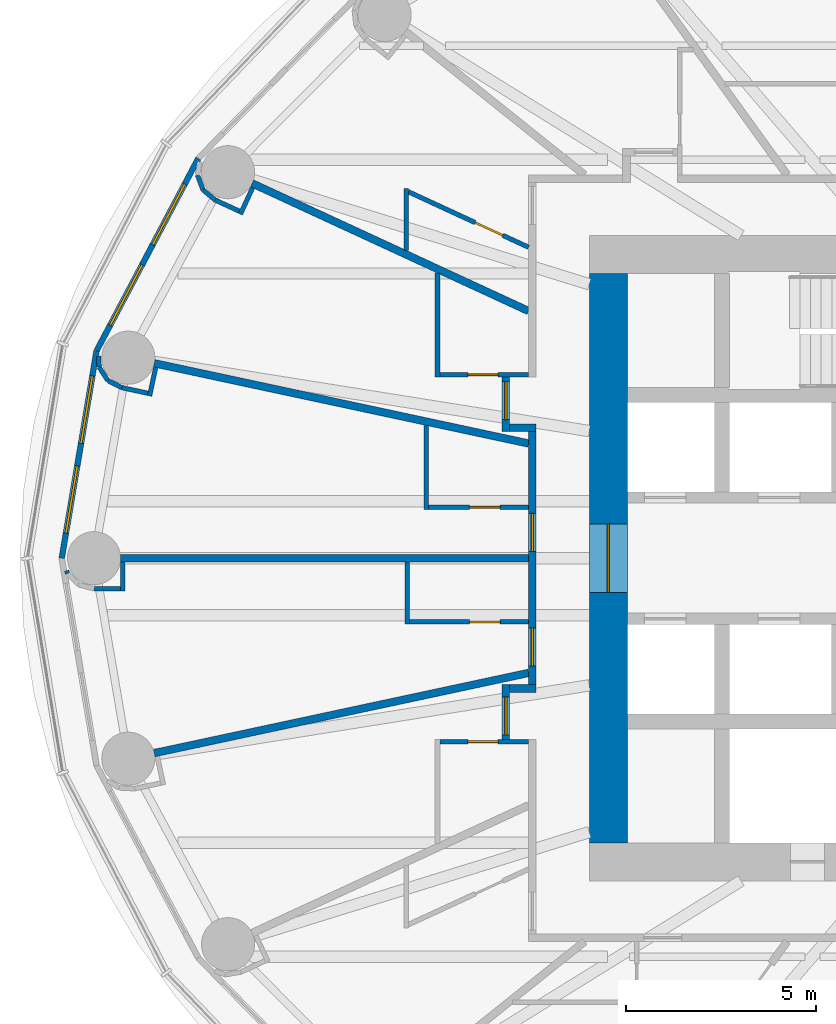
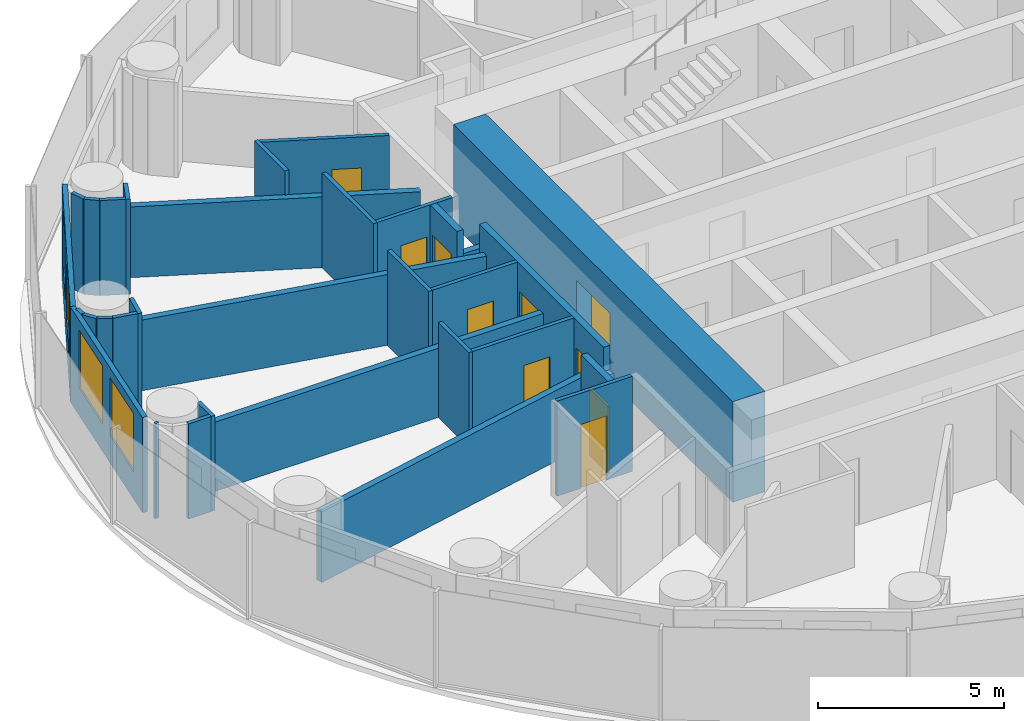
# One storey, part 8 of 16: 33 walls, 10 doors, 4 windows, 14 openings.
"""IFC4 building model written with IfcOpenShell, lengths in metres."""

from ifc_helpers import new_model, si_unit, direction, frame, frame_2d, origin, place, context, subcontext, project, spatial, rectangle, extrude, material, layer, layer_set, type_object, element, fill, save


model = new_model("IFC4")

# Units and contexts
model_context = context("Model", 3, precision=1e-05, world=origin(), true_north=direction((0.0, 1.0)))
body_context = subcontext(model_context, "Body", "Model", "MODEL_VIEW")
ifc_project = project(units=[si_unit("LENGTHUNIT", "METRE"), si_unit("AREAUNIT", "SQUARE_METRE"), si_unit("VOLUMEUNIT", "CUBIC_METRE"), si_unit("PLANEANGLEUNIT", "RADIAN"), si_unit("MASSUNIT", "GRAM", prefix="KILO")], contexts=[model_context])

# Site, building, storey
site_placement = place(None, origin())
site = spatial("IfcSite", under=ifc_project, at=site_placement, CompositionType="ELEMENT")
building_placement = place(site_placement, origin())
building = spatial("IfcBuilding", under=site, at=building_placement, Name="Hankou Lantern Tower", CompositionType="ELEMENT")
storey_placement = place(building_placement, frame((0.0, 0.0, 70.5)))
storey = spatial("IfcBuildingStorey", under=building, at=storey_placement, Name="L17", CompositionType="ELEMENT", Elevation=70.5)

# Wall, opening, door
ifc_material_1 = material(Name="Concrete C60", Category="concrete")
ifc_layer_1 = layer(ifc_material_1, 1.0)
ifc_layer_set_1 = layer_set([ifc_layer_1], Name="Concrete C60")
wall_type_1 = type_object("IfcWallType", Name="CW1 CORE WALL 1000", PredefinedType="SHEAR", material=ifc_layer_set_1)
wall_1_placement = place(storey_placement, frame((-12.0, 7.5, 0.0), z_axis=(0.0, 0.0, 1.0), x_axis=(0.0, -1.0, 0.0)))
wall_1 = element("IfcWall", 1, at=wall_1_placement, inside=storey, type_object=wall_type_1, Name="Core wall west L17", PredefinedType="SHEAR", context=body_context, shape_type="SweptSolid", body=[
    extrude(rectangle(XDim=15.0, YDim=1.0, at=frame_2d((7.5, 0.0))), origin(), (0.0, 0.0, 1.0), 3.300048828125),
])
opening_1_placement = place(wall_1_placement, frame((6.60009765625, 0.0, 0.0)))
opening_1 = element("IfcOpeningElement", 2, at=opening_1_placement, cuts=wall_1, Name="Opening D6", PredefinedType="OPENING", context=body_context, shape_type="SweptSolid", body=[
    extrude(rectangle(XDim=1.800048828125, YDim=2.199951171875, at=frame_2d((0.89990234375, 1.10009765625))), frame((0.0, 0.510009765625, 0.0), z_axis=(0.0, -1.0, 0.0), x_axis=(1.0, 0.0, 0.0)), (0.0, 0.0, 1.0), 1.02001953125),
])
ifc_material_2 = material(Name="Steel door leaf", Category="steel")
door_type_1 = type_object("IfcDoorType", Name="D6 LIFT LOBBY DOOR 1800X2200", OperationType="DOUBLE_DOOR_DOUBLE_SWING", PredefinedType="DOOR", material=ifc_material_2)
door_1_placement = place(opening_1_placement, origin())
door_1 = element("IfcDoor", 3, at=door_1_placement, inside=storey, type_object=door_type_1, Name="Lift lobby west door", OperationType="DOUBLE_DOOR_DOUBLE_SWING", OverallHeight=2.199951171875, OverallWidth=1.800048828125, PredefinedType="DOOR", context=body_context, shape_type="SweptSolid", body=[
    extrude(rectangle(XDim=1.800048828125, YDim=2.199951171875, at=frame_2d((0.89990234375, 1.10009765625))), frame((0.0, 0.02490234375, 0.0), z_axis=(0.0, -1.0, 0.0), x_axis=(1.0, 0.0, 0.0)), (0.0, 0.0, 1.0), 0.050048828125),
])
fill(opening_1, door_1)

# Wall, openings, windows
ifc_material_3 = material(Name="Aluminium spandrel panel on steel studs", Category="steel")
ifc_layer_2 = layer(ifc_material_3, 0.14990234375)
ifc_layer_set_2 = layer_set([ifc_layer_2], Name="Aluminium spandrel panel on steel studs")
wall_type_2 = type_object("IfcWallType", Name="EW1 INNER SKIN WALL 150", PredefinedType="ELEMENTEDWALL", material=ifc_layer_set_2)
wall_2_placement = place(storey_placement, frame((-22.802734375, 10.5322265625, 0.0), z_axis=(0.0, 0.0, 1.0), x_axis=(-0.467296867008, -0.884100468321, 0.0)))
wall_2 = element("IfcWall", 4, at=wall_2_placement, inside=storey, type_object=wall_type_2, Name="Inner skin R11-R12 L17", PredefinedType="ELEMENTEDWALL", context=body_context, shape_type="SweptSolid", body=[
    extrude(rectangle(XDim=5.734375, YDim=0.14990234375, at=frame_2d((2.8671875, 0.0))), origin(), (0.0, 0.0, 1.0), 3.1201171875),
])
opening_2_placement = place(wall_2_placement, frame((0.76708984375, 0.0, 0.89990234375)))
opening_2 = element("IfcOpeningElement", 5, at=opening_2_placement, cuts=wall_2, Name="Opening W1", PredefinedType="OPENING", context=body_context, shape_type="SweptSolid", body=[
    extrude(rectangle(XDim=1.800048828125, YDim=1.89990234375, at=frame_2d((0.89990234375, 0.949951171875))), frame((0.0, 0.0849609375, 0.0), z_axis=(0.0, -1.0, 0.0), x_axis=(1.0, 0.0, 0.0)), (0.0, 0.0, 1.0), 0.169921875),
])
opening_3_placement = place(wall_2_placement, frame((3.167236328125, 0.0, 0.89990234375)))
opening_3 = element("IfcOpeningElement", 6, at=opening_3_placement, cuts=wall_2, Name="Opening W1", PredefinedType="OPENING", context=body_context, shape_type="SweptSolid", body=[
    extrude(rectangle(XDim=1.800048828125, YDim=1.89990234375, at=frame_2d((0.89990234375, 0.949951171875))), frame((0.0, 0.0849609375, 0.0), z_axis=(0.0, -1.0, 0.0), x_axis=(1.0, 0.0, 0.0)), (0.0, 0.0, 1.0), 0.169921875),
])
ifc_material_4 = material(Name="Aluminium framed double glazed window", Category="aluminium")
window_type = type_object("IfcWindowType", Name="W1 GUEST ROOM WINDOW 1800X1900", PartitioningType="DOUBLE_PANEL_VERTICAL", PredefinedType="WINDOW", material=ifc_material_4)
window_1_placement = place(opening_2_placement, origin())
window_1 = element("IfcWindow", 7, at=window_1_placement, inside=storey, type_object=window_type, Name="Window R11.1 L17", OverallHeight=1.89990234375, OverallWidth=1.800048828125, PartitioningType="SINGLE_PANEL", PredefinedType="WINDOW", context=body_context, shape_type="SweptSolid", body=[
    extrude(rectangle(XDim=1.800048828125, YDim=1.89990234375, at=frame_2d((0.89990234375, 0.949951171875))), frame((0.0, 0.030029296875, 0.0), z_axis=(0.0, -1.0, 0.0), x_axis=(1.0, 0.0, 0.0)), (0.0, 0.0, 1.0), 0.06005859375),
])
fill(opening_2, window_1)
window_2_placement = place(opening_3_placement, origin())
window_2 = element("IfcWindow", 8, at=window_2_placement, inside=storey, type_object=window_type, Name="Window R11.2 L17", OverallHeight=1.89990234375, OverallWidth=1.800048828125, PartitioningType="SINGLE_PANEL", PredefinedType="WINDOW", context=body_context, shape_type="SweptSolid", body=[
    extrude(rectangle(XDim=1.800048828125, YDim=1.89990234375, at=frame_2d((0.89990234375, 0.949951171875))), frame((0.0, 0.030029296875, 0.0), z_axis=(0.0, -1.0, 0.0), x_axis=(1.0, 0.0, 0.0)), (0.0, 0.0, 1.0), 0.06005859375),
])
fill(opening_3, window_2)

wall_3_placement = place(storey_placement, frame((-25.482421875, 5.46240234375, 0.0), z_axis=(0.0, 0.0, 1.0), x_axis=(-0.165642551694, -0.986185857264, 0.0)))
wall_3 = element("IfcWall", 9, at=wall_3_placement, inside=storey, type_object=wall_type_2, Name="Inner skin R12-R13 L17", PredefinedType="ELEMENTEDWALL", context=body_context, shape_type="SweptSolid", body=[
    extrude(rectangle(XDim=5.538818359375, YDim=0.14990234375, at=frame_2d((2.76953125, 0.0))), origin(), (0.0, 0.0, 1.0), 3.1201171875),
])
opening_4_placement = place(wall_3_placement, frame((0.66943359375, 0.0, 0.89990234375)))
opening_4 = element("IfcOpeningElement", 10, at=opening_4_placement, cuts=wall_3, Name="Opening W1", PredefinedType="OPENING", context=body_context, shape_type="SweptSolid", body=[
    extrude(rectangle(XDim=1.800048828125, YDim=1.89990234375, at=frame_2d((0.89990234375, 0.949951171875))), frame((0.0, 0.0849609375, 0.0), z_axis=(0.0, -1.0, 0.0), x_axis=(1.0, 0.0, 0.0)), (0.0, 0.0, 1.0), 0.169921875),
])
opening_5_placement = place(wall_3_placement, frame((3.069580078125, 0.0, 0.89990234375)))
opening_5 = element("IfcOpeningElement", 11, at=opening_5_placement, cuts=wall_3, Name="Opening W1", PredefinedType="OPENING", context=body_context, shape_type="SweptSolid", body=[
    extrude(rectangle(XDim=1.800048828125, YDim=1.89990234375, at=frame_2d((0.89990234375, 0.949951171875))), frame((0.0, 0.0849609375, 0.0), z_axis=(0.0, -1.0, 0.0), x_axis=(1.0, 0.0, 0.0)), (0.0, 0.0, 1.0), 0.169921875),
])
window_3_placement = place(opening_4_placement, origin())
window_3 = element("IfcWindow", 12, at=window_3_placement, inside=storey, type_object=window_type, Name="Window R12.1 L17", OverallHeight=1.89990234375, OverallWidth=1.800048828125, PartitioningType="SINGLE_PANEL", PredefinedType="WINDOW", context=body_context, shape_type="SweptSolid", body=[
    extrude(rectangle(XDim=1.800048828125, YDim=1.89990234375, at=frame_2d((0.89990234375, 0.949951171875))), frame((0.0, 0.030029296875, 0.0), z_axis=(0.0, -1.0, 0.0), x_axis=(1.0, 0.0, 0.0)), (0.0, 0.0, 1.0), 0.06005859375),
])
fill(opening_4, window_3)
window_4_placement = place(opening_5_placement, origin())
window_4 = element("IfcWindow", 13, at=window_4_placement, inside=storey, type_object=window_type, Name="Window R12.2 L17", OverallHeight=1.89990234375, OverallWidth=1.800048828125, PartitioningType="SINGLE_PANEL", PredefinedType="WINDOW", context=body_context, shape_type="SweptSolid", body=[
    extrude(rectangle(XDim=1.800048828125, YDim=1.89990234375, at=frame_2d((0.89990234375, 0.949951171875))), frame((0.0, 0.030029296875, 0.0), z_axis=(0.0, -1.0, 0.0), x_axis=(1.0, 0.0, 0.0)), (0.0, 0.0, 1.0), 0.06005859375),
])
fill(opening_5, window_4)

# Walls
ifc_material_5 = material(Name="Masonry lightweight concrete block", Category="masonry")
ifc_layer_3 = layer(ifc_material_5, 0.199951171875)
ifc_layer_set_3 = layer_set([ifc_layer_3], Name="Masonry lightweight concrete block")
wall_type_3 = type_object("IfcWallType", Name="IW1 GUEST ROOM PARTY WALL 200", PredefinedType="PARTITIONING", material=ifc_layer_set_3)
wall_4_placement = place(storey_placement, frame((-14.10009765625, 6.512451171875, 0.0), z_axis=(0.0, 0.0, 1.0), x_axis=(-0.907832871056, 0.419332181247, 0.0)))
element("IfcWall", 14, at=wall_4_placement, inside=storey, type_object=wall_type_3, Name="Party wall R11", PredefinedType="PARTITIONING", context=body_context, shape_type="SweptSolid", body=[
    extrude(rectangle(XDim=8.02294921875, YDim=0.199951171875, at=frame_2d((4.011474609375, 0.0))), origin(), (0.0, 0.0, 1.0), 2.320068359375),
])
wall_5_placement = place(storey_placement, frame((-14.10009765625, 3.0224609375, 0.0), z_axis=(0.0, 0.0, 1.0), x_axis=(-0.977790014929, 0.209586943072, 0.0)))
element("IfcWall", 15, at=wall_5_placement, inside=storey, type_object=wall_type_3, Name="Party wall R12", PredefinedType="PARTITIONING", context=body_context, shape_type="SweptSolid", body=[
    extrude(rectangle(XDim=10.086669921875, YDim=0.199951171875, at=frame_2d((5.04345703125, 0.0))), origin(), (0.0, 0.0, 1.0), 2.320068359375),
])
wall_6_placement = place(storey_placement, frame((-14.10009765625, 0.0, 0.0), z_axis=(0.0, 0.0, 1.0), x_axis=(-1.0, 0.0, 0.0)))
element("IfcWall", 16, at=wall_6_placement, inside=storey, type_object=wall_type_3, Name="Party wall R13", PredefinedType="PARTITIONING", context=body_context, shape_type="SweptSolid", body=[
    extrude(rectangle(XDim=10.75, YDim=0.199951171875, at=frame_2d((5.375, 0.0))), origin(), (0.0, 0.0, 1.0), 2.27001953125),
])
wall_7_placement = place(storey_placement, frame((-14.10009765625, -3.0224609375, 0.0), z_axis=(0.0, 0.0, 1.0), x_axis=(-0.977790014929, -0.209586943072, 0.0)))
element("IfcWall", 17, at=wall_7_placement, inside=storey, type_object=wall_type_3, Name="Party wall R14", PredefinedType="PARTITIONING", context=body_context, shape_type="SweptSolid", body=[
    extrude(rectangle(XDim=10.086669921875, YDim=0.199951171875, at=frame_2d((5.04345703125, 0.0))), origin(), (0.0, 0.0, 1.0), 2.320068359375),
])

# Wall, opening, door
ifc_material_6 = material(Name="Masonry lightweight concrete block", Category="masonry")
ifc_layer_4 = layer(ifc_material_6, 0.199951171875)
ifc_layer_set_4 = layer_set([ifc_layer_4], Name="Masonry lightweight concrete block")
wall_type_4 = type_object("IfcWallType", Name="IW2 CORRIDOR WALL 200", PredefinedType="PARTITIONING", material=ifc_layer_set_4)
wall_8_placement = place(storey_placement, frame((-14.699951171875, 4.7724609375, 0.0), z_axis=(0.0, 0.0, 1.0), x_axis=(0.0, -1.0, 0.0)))
wall_8 = element("IfcWall", 18, at=wall_8_placement, inside=storey, type_object=wall_type_4, Name="Corridor recess wall 1716 back", PredefinedType="PARTITIONING", context=body_context, shape_type="SweptSolid", body=[
    extrude(rectangle(XDim=1.43994140625, YDim=0.199951171875, at=frame_2d((0.719970703125, 0.0))), origin(), (0.0, 0.0, 1.0), 3.1201171875),
])
opening_6_placement = place(wall_8_placement, frame((0.1201171875, 0.0, 0.0)))
opening_6 = element("IfcOpeningElement", 19, at=opening_6_placement, cuts=wall_8, Name="Opening D1", PredefinedType="OPENING", context=body_context, shape_type="SweptSolid", body=[
    extrude(rectangle(XDim=1.0, YDim=2.199951171875, at=frame_2d((0.5, 1.10009765625))), frame((0.0, 0.10986328125, 0.0), z_axis=(0.0, -1.0, 0.0), x_axis=(1.0, 0.0, 0.0)), (0.0, 0.0, 1.0), 0.219970703125),
])
ifc_material_7 = material(Name="Steel door leaf", Category="steel")
door_type_2 = type_object("IfcDoorType", Name="D1 GUEST ROOM DOOR 1000X2200", OperationType="SINGLE_SWING_LEFT", PredefinedType="DOOR", material=ifc_material_7)
door_2_placement = place(opening_6_placement, origin())
door_2 = element("IfcDoor", 20, at=door_2_placement, inside=storey, type_object=door_type_2, Name="Guest room door 1716", OperationType="SINGLE_SWING_LEFT", OverallHeight=2.199951171875, OverallWidth=1.0, PredefinedType="DOOR", context=body_context, shape_type="SweptSolid", body=[
    extrude(rectangle(XDim=1.0, YDim=2.199951171875, at=frame_2d((0.5, 1.10009765625))), frame((0.0, 0.02490234375, 0.0), z_axis=(0.0, -1.0, 0.0), x_axis=(1.0, 0.0, 0.0)), (0.0, 0.0, 1.0), 0.050048828125),
])
fill(opening_6, door_2)

# Wall
wall_9_placement = place(storey_placement, frame((-13.89990234375, 3.4326171875, 0.0), z_axis=(0.0, 0.0, 1.0), x_axis=(-1.0, 0.0, 0.0)))
element("IfcWall", 21, at=wall_9_placement, inside=storey, type_object=wall_type_4, Name="Corridor recess wall 1716 side", PredefinedType="PARTITIONING", context=body_context, shape_type="SweptSolid", body=[
    extrude(rectangle(XDim=0.7001953125, YDim=0.199951171875, at=frame_2d((0.35009765625, 0.0))), origin(), (0.0, 0.0, 1.0), 2.320068359375),
])

# Wall, opening, door
wall_10_placement = place(storey_placement, frame((-14.699951171875, -3.33251953125, 0.0), z_axis=(0.0, 0.0, 1.0), x_axis=(0.0, -1.0, 0.0)))
wall_10 = element("IfcWall", 22, at=wall_10_placement, inside=storey, type_object=wall_type_4, Name="Corridor recess wall 1719 back", PredefinedType="PARTITIONING", context=body_context, shape_type="SweptSolid", body=[
    extrude(rectangle(XDim=1.43994140625, YDim=0.199951171875, at=frame_2d((0.719970703125, 0.0))), origin(), (0.0, 0.0, 1.0), 3.1201171875),
])
opening_7_placement = place(wall_10_placement, frame((0.320068359375, 0.0, 0.0)))
opening_7 = element("IfcOpeningElement", 23, at=opening_7_placement, cuts=wall_10, Name="Opening D1", PredefinedType="OPENING", context=body_context, shape_type="SweptSolid", body=[
    extrude(rectangle(XDim=1.0, YDim=2.199951171875, at=frame_2d((0.5, 1.10009765625))), frame((0.0, 0.10986328125, 0.0), z_axis=(0.0, -1.0, 0.0), x_axis=(1.0, 0.0, 0.0)), (0.0, 0.0, 1.0), 0.219970703125),
])
door_3_placement = place(opening_7_placement, origin())
door_3 = element("IfcDoor", 24, at=door_3_placement, inside=storey, type_object=door_type_2, Name="Guest room door 1719", OperationType="SINGLE_SWING_RIGHT", OverallHeight=2.199951171875, OverallWidth=1.0, PredefinedType="DOOR", context=body_context, shape_type="SweptSolid", body=[
    extrude(rectangle(XDim=1.0, YDim=2.199951171875, at=frame_2d((0.5, 1.10009765625))), frame((0.0, 0.02490234375, 0.0), z_axis=(0.0, -1.0, 0.0), x_axis=(1.0, 0.0, 0.0)), (0.0, 0.0, 1.0), 0.050048828125),
])
fill(opening_7, door_3)

# Wall
wall_11_placement = place(storey_placement, frame((-13.89990234375, -3.4326171875, 0.0), z_axis=(0.0, 0.0, 1.0), x_axis=(-1.0, 0.0, 0.0)))
element("IfcWall", 25, at=wall_11_placement, inside=storey, type_object=wall_type_4, Name="Corridor recess wall 1719 side", PredefinedType="PARTITIONING", context=body_context, shape_type="SweptSolid", body=[
    extrude(rectangle(XDim=0.7001953125, YDim=0.199951171875, at=frame_2d((0.35009765625, 0.0))), origin(), (0.0, 0.0, 1.0), 2.320068359375),
])

# Wall, openings, doors
wall_12_placement = place(storey_placement, frame((-14.0, 3.33251953125, 0.0), z_axis=(0.0, 0.0, 1.0), x_axis=(0.0, -1.0, 0.0)))
wall_12 = element("IfcWall", 26, at=wall_12_placement, inside=storey, type_object=wall_type_4, Name="Corridor wall west", PredefinedType="PARTITIONING", context=body_context, shape_type="SweptSolid", body=[
    extrude(rectangle(XDim=6.6650390625, YDim=0.199951171875, at=frame_2d((3.33251953125, 0.0))), origin(), (0.0, 0.0, 1.0), 3.1201171875),
])
opening_8_placement = place(wall_12_placement, frame((2.14990234375, 0.0, 0.0)))
opening_8 = element("IfcOpeningElement", 27, at=opening_8_placement, cuts=wall_12, Name="Opening D1", PredefinedType="OPENING", context=body_context, shape_type="SweptSolid", body=[
    extrude(rectangle(XDim=1.0, YDim=2.199951171875, at=frame_2d((0.5, 1.10009765625))), frame((0.0, 0.10986328125, 0.0), z_axis=(0.0, -1.0, 0.0), x_axis=(1.0, 0.0, 0.0)), (0.0, 0.0, 1.0), 0.219970703125),
])
opening_9_placement = place(wall_12_placement, frame((5.172607421875, 0.0, 0.0)))
opening_9 = element("IfcOpeningElement", 28, at=opening_9_placement, cuts=wall_12, Name="Opening D1", PredefinedType="OPENING", context=body_context, shape_type="SweptSolid", body=[
    extrude(rectangle(XDim=1.0, YDim=2.199951171875, at=frame_2d((0.5, 1.10009765625))), frame((0.0, 0.10986328125, 0.0), z_axis=(0.0, -1.0, 0.0), x_axis=(1.0, 0.0, 0.0)), (0.0, 0.0, 1.0), 0.219970703125),
])
door_4_placement = place(opening_8_placement, origin())
door_4 = element("IfcDoor", 29, at=door_4_placement, inside=storey, type_object=door_type_2, Name="Guest room door 1717", OperationType="SINGLE_SWING_LEFT", OverallHeight=2.199951171875, OverallWidth=1.0, PredefinedType="DOOR", context=body_context, shape_type="SweptSolid", body=[
    extrude(rectangle(XDim=1.0, YDim=2.199951171875, at=frame_2d((0.5, 1.10009765625))), frame((0.0, 0.02490234375, 0.0), z_axis=(0.0, -1.0, 0.0), x_axis=(1.0, 0.0, 0.0)), (0.0, 0.0, 1.0), 0.050048828125),
])
fill(opening_8, door_4)
door_5_placement = place(opening_9_placement, origin())
door_5 = element("IfcDoor", 30, at=door_5_placement, inside=storey, type_object=door_type_2, Name="Guest room door 1718", OperationType="SINGLE_SWING_RIGHT", OverallHeight=2.199951171875, OverallWidth=1.0, PredefinedType="DOOR", context=body_context, shape_type="SweptSolid", body=[
    extrude(rectangle(XDim=1.0, YDim=2.199951171875, at=frame_2d((0.5, 1.10009765625))), frame((0.0, 0.02490234375, 0.0), z_axis=(0.0, -1.0, 0.0), x_axis=(1.0, 0.0, 0.0)), (0.0, 0.0, 1.0), 0.050048828125),
])
fill(opening_9, door_5)

# Wall
ifc_material_8 = material(Name="Masonry lightweight concrete block", Category="masonry")
ifc_layer_5 = layer(ifc_material_8, 0.1201171875)
ifc_layer_set_5 = layer_set([ifc_layer_5], Name="Masonry lightweight concrete block")
wall_type_5 = type_object("IfcWallType", Name="IW3 BATHROOM WALL 120", PredefinedType="PARTITIONING", material=ifc_layer_set_5)
wall_13_placement = place(storey_placement, frame((-17.32275390625, 8.10107421875, 0.0), z_axis=(0.0, 0.0, 1.0), x_axis=(0.0, 1.0, 0.0)))
element("IfcWall", 31, at=wall_13_placement, inside=storey, type_object=wall_type_5, Name="Box wall 1715 1", PredefinedType="PARTITIONING", context=body_context, shape_type="SweptSolid", body=[
    extrude(rectangle(XDim=1.639892578125, YDim=0.1201171875, at=frame_2d((0.81982421875, 0.0))), origin(), (0.0, 0.0, 1.0), 3.1201171875),
])

# Wall, opening, door
wall_14_placement = place(storey_placement, frame((-14.10009765625, 8.192626953125, 0.0), z_axis=(0.0, 0.0, 1.0), x_axis=(-0.907836493557, 0.419324338628, 0.0)))
wall_14 = element("IfcWall", 32, at=wall_14_placement, inside=storey, type_object=wall_type_5, Name="Box wall 1715 1", PredefinedType="PARTITIONING", context=body_context, shape_type="SweptSolid", body=[
    extrude(rectangle(XDim=3.48974609375, YDim=0.1201171875, at=frame_2d((1.744873046875, 0.0))), origin(), (0.0, 0.0, 1.0), 3.1201171875),
])
opening_10_placement = place(wall_14_placement, frame((0.75, 0.0, 0.0)))
opening_10 = element("IfcOpeningElement", 33, at=opening_10_placement, cuts=wall_14, Name="Opening D3", PredefinedType="OPENING", context=body_context, shape_type="SweptSolid", body=[
    extrude(rectangle(XDim=0.800048828125, YDim=2.10009765625, at=frame_2d((0.39990234375, 1.050048828125))), frame((0.0, 0.070068359375, 0.0), z_axis=(0.0, -1.0, 0.0), x_axis=(1.0, 0.0, 0.0)), (0.0, 0.0, 1.0), 0.14013671875),
])
ifc_material_9 = material(Name="Timber door leaf", Category="wood")
door_type_3 = type_object("IfcDoorType", Name="D3 BATHROOM DOOR 800X2100", OperationType="SINGLE_SWING_LEFT", PredefinedType="DOOR", material=ifc_material_9)
door_6_placement = place(opening_10_placement, origin())
door_6 = element("IfcDoor", 34, at=door_6_placement, inside=storey, type_object=door_type_3, Name="En-suite bathroom 1715 door", OperationType="SINGLE_SWING_LEFT", OverallHeight=2.10009765625, OverallWidth=0.800048828125, PredefinedType="DOOR", context=body_context, shape_type="SweptSolid", body=[
    extrude(rectangle(XDim=0.800048828125, YDim=2.10009765625, at=frame_2d((0.39990234375, 1.050048828125))), frame((0.0, 0.02490234375, 0.0), z_axis=(0.0, -1.0, 0.0), x_axis=(1.0, 0.0, 0.0)), (0.0, 0.0, 1.0), 0.050048828125),
])
fill(opening_10, door_6)

# Wall
wall_15_placement = place(storey_placement, frame((-16.5, 7.52099609375, 0.0), z_axis=(0.0, 0.0, 1.0), x_axis=(0.0, -1.0, 0.0)))
element("IfcWall", 35, at=wall_15_placement, inside=storey, type_object=wall_type_5, Name="Box wall 1716 1", PredefinedType="PARTITIONING", context=body_context, shape_type="SweptSolid", body=[
    extrude(rectangle(XDim=2.74853515625, YDim=0.1201171875, at=frame_2d((1.374267578125, 0.0))), origin(), (0.0, 0.0, 1.0), 3.1201171875),
])

# Wall, opening, door
wall_16_placement = place(storey_placement, frame((-14.10009765625, 4.83251953125, 0.0), z_axis=(0.0, 0.0, 1.0), x_axis=(-1.0, 0.0, 0.0)))
wall_16 = element("IfcWall", 36, at=wall_16_placement, inside=storey, type_object=wall_type_5, Name="Box wall 1716 1", PredefinedType="PARTITIONING", context=body_context, shape_type="SweptSolid", body=[
    extrude(rectangle(XDim=2.33984375, YDim=0.1201171875, at=frame_2d((1.169921875, 0.0))), origin(), (0.0, 0.0, 1.0), 3.1201171875),
])
opening_11_placement = place(wall_16_placement, frame((0.800048828125, 0.0, 0.0)))
opening_11 = element("IfcOpeningElement", 37, at=opening_11_placement, cuts=wall_16, Name="Opening D3", PredefinedType="OPENING", context=body_context, shape_type="SweptSolid", body=[
    extrude(rectangle(XDim=0.800048828125, YDim=2.10009765625, at=frame_2d((0.39990234375, 1.050048828125))), frame((0.0, 0.070068359375, 0.0), z_axis=(0.0, -1.0, 0.0), x_axis=(1.0, 0.0, 0.0)), (0.0, 0.0, 1.0), 0.14013671875),
])
door_7_placement = place(opening_11_placement, origin())
door_7 = element("IfcDoor", 38, at=door_7_placement, inside=storey, type_object=door_type_3, Name="En-suite bathroom 1716 door", OperationType="SINGLE_SWING_LEFT", OverallHeight=2.10009765625, OverallWidth=0.800048828125, PredefinedType="DOOR", context=body_context, shape_type="SweptSolid", body=[
    extrude(rectangle(XDim=0.800048828125, YDim=2.10009765625, at=frame_2d((0.39990234375, 1.050048828125))), frame((0.0, 0.02490234375, 0.0), z_axis=(0.0, -1.0, 0.0), x_axis=(1.0, 0.0, 0.0)), (0.0, 0.0, 1.0), 0.050048828125),
])
fill(opening_11, door_7)

# Wall
wall_17_placement = place(storey_placement, frame((-16.800048828125, 3.501220703125, 0.0), z_axis=(0.0, 0.0, 1.0), x_axis=(0.0, -1.0, 0.0)))
element("IfcWall", 39, at=wall_17_placement, inside=storey, type_object=wall_type_5, Name="Box wall 1717 1", PredefinedType="PARTITIONING", context=body_context, shape_type="SweptSolid", body=[
    extrude(rectangle(XDim=2.21875, YDim=0.1201171875, at=frame_2d((1.109375, 0.0))), origin(), (0.0, 0.0, 1.0), 3.1201171875),
])

# Wall, opening, door
wall_18_placement = place(storey_placement, frame((-14.10009765625, 1.342529296875, 0.0), z_axis=(0.0, 0.0, 1.0), x_axis=(-1.0, 0.0, 0.0)))
wall_18 = element("IfcWall", 40, at=wall_18_placement, inside=storey, type_object=wall_type_5, Name="Box wall 1717 1", PredefinedType="PARTITIONING", context=body_context, shape_type="SweptSolid", body=[
    extrude(rectangle(XDim=2.639892578125, YDim=0.1201171875, at=frame_2d((1.31982421875, 0.0))), origin(), (0.0, 0.0, 1.0), 3.1201171875),
])
opening_12_placement = place(wall_18_placement, frame((0.75, 0.0, 0.0)))
opening_12 = element("IfcOpeningElement", 41, at=opening_12_placement, cuts=wall_18, Name="Opening D3", PredefinedType="OPENING", context=body_context, shape_type="SweptSolid", body=[
    extrude(rectangle(XDim=0.800048828125, YDim=2.10009765625, at=frame_2d((0.39990234375, 1.050048828125))), frame((0.0, 0.070068359375, 0.0), z_axis=(0.0, -1.0, 0.0), x_axis=(1.0, 0.0, 0.0)), (0.0, 0.0, 1.0), 0.14013671875),
])
door_8_placement = place(opening_12_placement, origin())
door_8 = element("IfcDoor", 42, at=door_8_placement, inside=storey, type_object=door_type_3, Name="En-suite bathroom 1717 door", OperationType="SINGLE_SWING_LEFT", OverallHeight=2.10009765625, OverallWidth=0.800048828125, PredefinedType="DOOR", context=body_context, shape_type="SweptSolid", body=[
    extrude(rectangle(XDim=0.800048828125, YDim=2.10009765625, at=frame_2d((0.39990234375, 1.050048828125))), frame((0.0, 0.02490234375, 0.0), z_axis=(0.0, -1.0, 0.0), x_axis=(1.0, 0.0, 0.0)), (0.0, 0.0, 1.0), 0.050048828125),
])
fill(opening_12, door_8)

# Wall
wall_19_placement = place(storey_placement, frame((-17.300048828125, -0.10009765625, 0.0), z_axis=(0.0, 0.0, 1.0), x_axis=(0.0, -1.0, 0.0)))
element("IfcWall", 43, at=wall_19_placement, inside=storey, type_object=wall_type_5, Name="Box wall 1718 1", PredefinedType="PARTITIONING", context=body_context, shape_type="SweptSolid", body=[
    extrude(rectangle(XDim=1.639892578125, YDim=0.1201171875, at=frame_2d((0.81982421875, 0.0))), origin(), (0.0, 0.0, 1.0), 3.1201171875),
])

# Wall, opening, door
wall_20_placement = place(storey_placement, frame((-14.10009765625, -1.679931640625, 0.0), z_axis=(0.0, 0.0, 1.0), x_axis=(-1.0, 0.0, 0.0)))
wall_20 = element("IfcWall", 44, at=wall_20_placement, inside=storey, type_object=wall_type_5, Name="Box wall 1718 1", PredefinedType="PARTITIONING", context=body_context, shape_type="SweptSolid", body=[
    extrude(rectangle(XDim=3.139892578125, YDim=0.1201171875, at=frame_2d((1.56982421875, 0.0))), origin(), (0.0, 0.0, 1.0), 3.1201171875),
])
opening_13_placement = place(wall_20_placement, frame((0.75, 0.0, 0.0)))
opening_13 = element("IfcOpeningElement", 45, at=opening_13_placement, cuts=wall_20, Name="Opening D3", PredefinedType="OPENING", context=body_context, shape_type="SweptSolid", body=[
    extrude(rectangle(XDim=0.800048828125, YDim=2.10009765625, at=frame_2d((0.39990234375, 1.050048828125))), frame((0.0, 0.070068359375, 0.0), z_axis=(0.0, -1.0, 0.0), x_axis=(1.0, 0.0, 0.0)), (0.0, 0.0, 1.0), 0.14013671875),
])
door_9_placement = place(opening_13_placement, origin())
door_9 = element("IfcDoor", 46, at=door_9_placement, inside=storey, type_object=door_type_3, Name="En-suite bathroom 1718 door", OperationType="SINGLE_SWING_LEFT", OverallHeight=2.10009765625, OverallWidth=0.800048828125, PredefinedType="DOOR", context=body_context, shape_type="SweptSolid", body=[
    extrude(rectangle(XDim=0.800048828125, YDim=2.10009765625, at=frame_2d((0.39990234375, 1.050048828125))), frame((0.0, 0.02490234375, 0.0), z_axis=(0.0, -1.0, 0.0), x_axis=(1.0, 0.0, 0.0)), (0.0, 0.0, 1.0), 0.050048828125),
])
fill(opening_13, door_9)

wall_21_placement = place(storey_placement, frame((-14.10009765625, -4.83251953125, 0.0), z_axis=(0.0, 0.0, 1.0), x_axis=(-1.0, 0.0, 0.0)))
wall_21 = element("IfcWall", 47, at=wall_21_placement, inside=storey, type_object=wall_type_5, Name="Box wall 1719 1", PredefinedType="PARTITIONING", context=body_context, shape_type="SweptSolid", body=[
    extrude(rectangle(XDim=2.33984375, YDim=0.1201171875, at=frame_2d((1.169921875, 0.0))), origin(), (0.0, 0.0, 1.0), 3.1201171875),
])
opening_14_placement = place(wall_21_placement, frame((0.800048828125, 0.0, 0.0)))
opening_14 = element("IfcOpeningElement", 48, at=opening_14_placement, cuts=wall_21, Name="Opening D3", PredefinedType="OPENING", context=body_context, shape_type="SweptSolid", body=[
    extrude(rectangle(XDim=0.800048828125, YDim=2.10009765625, at=frame_2d((0.39990234375, 1.050048828125))), frame((0.0, 0.070068359375, 0.0), z_axis=(0.0, -1.0, 0.0), x_axis=(1.0, 0.0, 0.0)), (0.0, 0.0, 1.0), 0.14013671875),
])
door_10_placement = place(opening_14_placement, origin())
door_10 = element("IfcDoor", 49, at=door_10_placement, inside=storey, type_object=door_type_3, Name="En-suite bathroom 1719 door", OperationType="SINGLE_SWING_RIGHT", OverallHeight=2.10009765625, OverallWidth=0.800048828125, PredefinedType="DOOR", context=body_context, shape_type="SweptSolid", body=[
    extrude(rectangle(XDim=0.800048828125, YDim=2.10009765625, at=frame_2d((0.39990234375, 1.050048828125))), frame((0.0, 0.02490234375, 0.0), z_axis=(0.0, -1.0, 0.0), x_axis=(1.0, 0.0, 0.0)), (0.0, 0.0, 1.0), 0.050048828125),
])
fill(opening_14, door_10)

# Walls
ifc_material_10 = material(Name="Masonry lightweight concrete block", Category="masonry")
ifc_layer_6 = layer(ifc_material_10, 0.1201171875)
ifc_layer_set_6 = layer_set([ifc_layer_6], Name="Masonry lightweight concrete block")
wall_type_6 = type_object("IfcWallType", Name="IW4 PARTITION 120", PredefinedType="PARTITIONING", material=ifc_layer_set_6)
wall_22_placement = place(storey_placement, frame((-21.37109375, 9.7607421875, 0.0), z_axis=(0.0, 0.0, 1.0), x_axis=(-0.419259891039, -0.907866258744, 0.0)))
element("IfcWall", 50, at=wall_22_placement, inside=storey, type_object=wall_type_6, Name="Column casing R11 return", PredefinedType="PARTITIONING", context=body_context, shape_type="SweptSolid", body=[
    extrude(rectangle(XDim=0.767578125, YDim=0.1201171875, at=frame_2d((0.3837890625, 0.0))), origin(), (0.0, 0.0, 1.0), 3.1201171875),
])
wall_23_placement = place(storey_placement, frame((-21.72216796875, 9.1435546875, 0.0), z_axis=(0.0, 0.0, 1.0), x_axis=(-0.907877701396, 0.419235112208, 0.0)))
element("IfcWall", 51, at=wall_23_placement, inside=storey, type_object=wall_type_6, Name="Column casing R11", PredefinedType="PARTITIONING", context=body_context, shape_type="SweptSolid", body=[
    extrude(rectangle(XDim=0.699951171875, YDim=0.1201171875, at=frame_2d((0.35009765625, 0.0))), origin(), (0.0, 0.0, 1.0), 3.1201171875),
])
wall_24_placement = place(storey_placement, frame((-22.357666015625, 9.43701171875, 0.0), z_axis=(0.0, 0.0, 1.0), x_axis=(-0.768412687942, 0.639954639806, 0.0)))
element("IfcWall", 52, at=wall_24_placement, inside=storey, type_object=wall_type_6, Name="Column casing R11", PredefinedType="PARTITIONING", context=body_context, shape_type="SweptSolid", body=[
    extrude(rectangle(XDim=0.418212890625, YDim=0.1201171875, at=frame_2d((0.208984375, 0.0))), origin(), (0.0, 0.0, 1.0), 3.1201171875),
])
wall_25_placement = place(storey_placement, frame((-22.678955078125, 9.70458984375, 0.0), z_axis=(0.0, 0.0, 1.0), x_axis=(-0.345164001646, 0.938542386879, 0.0)))
element("IfcWall", 53, at=wall_25_placement, inside=storey, type_object=wall_type_6, Name="Column casing R11", PredefinedType="PARTITIONING", context=body_context, shape_type="SweptSolid", body=[
    extrude(rectangle(XDim=0.41796875, YDim=0.1201171875, at=frame_2d((0.208984375, 0.0))), origin(), (0.0, 0.0, 1.0), 3.1201171875),
])
wall_26_placement = place(storey_placement, frame((-23.9248046875, 5.026123046875, 0.0), z_axis=(0.0, 0.0, 1.0), x_axis=(-0.209681192172, -0.977769808109, 0.0)))
element("IfcWall", 54, at=wall_26_placement, inside=storey, type_object=wall_type_6, Name="Column casing R12 return", PredefinedType="PARTITIONING", context=body_context, shape_type="SweptSolid", body=[
    extrude(rectangle(XDim=0.767333984375, YDim=0.1201171875, at=frame_2d((0.3837890625, 0.0))), origin(), (0.0, 0.0, 1.0), 3.1201171875),
])
wall_27_placement = place(storey_placement, frame((-24.1318359375, 4.346923828125, 0.0), z_axis=(0.0, 0.0, 1.0), x_axis=(-0.977776882509, 0.209648200638, 0.0)))
element("IfcWall", 55, at=wall_27_placement, inside=storey, type_object=wall_type_6, Name="Column casing R12", PredefinedType="PARTITIONING", context=body_context, shape_type="SweptSolid", body=[
    extrude(rectangle(XDim=0.699951171875, YDim=0.1201171875, at=frame_2d((0.35009765625, 0.0))), origin(), (0.0, 0.0, 1.0), 3.1201171875),
])
for number, where, z_axis, x_axis, name in (
    (56, (-24.816162109375, 4.49365234375, 0.0), (0.0, 0.0, 1.0), (-0.890303208847, 0.455368198623, 0.0), "Column casing R12"),
    (57, (-25.1884765625, 4.68408203125, 0.0), (0.0, 0.0, 1.0), (-0.543057568894, 0.839695466742, 0.0), "Column casing R12"),
):
    element("IfcWall", number, at=place(storey_placement, frame(where, z_axis=z_axis, x_axis=x_axis)), inside=storey, type_object=wall_type_6, Name=name, PredefinedType="PARTITIONING", context=body_context, shape_type="SweptSolid", body=[
        extrude(rectangle(XDim=0.418212890625, YDim=0.1201171875, at=frame_2d((0.208984375, 0.0))), origin(), (0.0, 0.0, 1.0), 3.1201171875),
    ])
wall_28_placement = place(storey_placement, frame((-25.41552734375, 5.03515625, 0.0), z_axis=(0.0, 0.0, 1.0), x_axis=(-0.050406329159, 0.998728793007, 0.0)))
element("IfcWall", 58, at=wall_28_placement, inside=storey, type_object=wall_type_6, Name="Column casing R12", PredefinedType="PARTITIONING", context=body_context, shape_type="SweptSolid", body=[
    extrude(rectangle(XDim=0.28564453125, YDim=0.1201171875, at=frame_2d((0.142822265625, 0.0))), origin(), (0.0, 0.0, 1.0), 3.1201171875),
])
wall_29_placement = place(storey_placement, frame((-24.7900390625, -0.10009765625, 0.0), z_axis=(0.0, 0.0, 1.0), x_axis=(0.0, -1.0, 0.0)))
element("IfcWall", 59, at=wall_29_placement, inside=storey, type_object=wall_type_6, Name="Column casing R13 return", PredefinedType="PARTITIONING", context=body_context, shape_type="SweptSolid", body=[
    extrude(rectangle(XDim=0.767333984375, YDim=0.1201171875, at=frame_2d((0.3837890625, 0.0))), origin(), (0.0, 0.0, 1.0), 3.1201171875),
])
wall_30_placement = place(storey_placement, frame((-24.85009765625, -0.8076171875, 0.0), z_axis=(0.0, 0.0, 1.0), x_axis=(-1.0, 0.0, 0.0)))
element("IfcWall", 60, at=wall_30_placement, inside=storey, type_object=wall_type_6, Name="Column casing R13", PredefinedType="PARTITIONING", context=body_context, shape_type="SweptSolid", body=[
    extrude(rectangle(XDim=0.699951171875, YDim=0.1201171875, at=frame_2d((0.35009765625, 0.0))), origin(), (0.0, 0.0, 1.0), 3.1201171875),
])
wall_31_placement = place(storey_placement, frame((-26.249267578125, -0.40380859375, 0.0), z_axis=(0.0, 0.0, 1.0), x_axis=(-0.259754282609, 0.965674744759, 0.0)))
element("IfcWall", 61, at=wall_31_placement, inside=storey, type_object=wall_type_6, Name="Column casing R13", PredefinedType="PARTITIONING", context=body_context, shape_type="SweptSolid", body=[
    extrude(rectangle(XDim=0.079833984375, YDim=0.1201171875, at=frame_2d((0.0400390625, 0.0))), origin(), (0.0, 0.0, 1.0), 3.1201171875),
])

save(model, "model.ifc")
